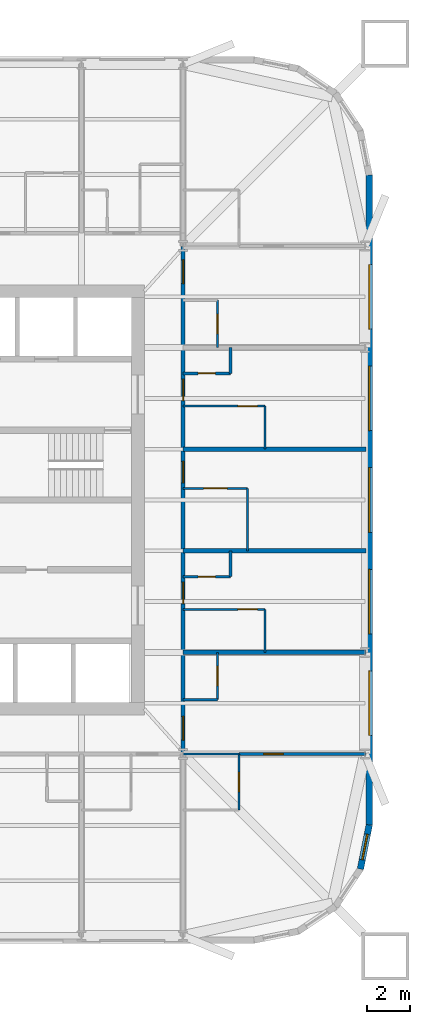
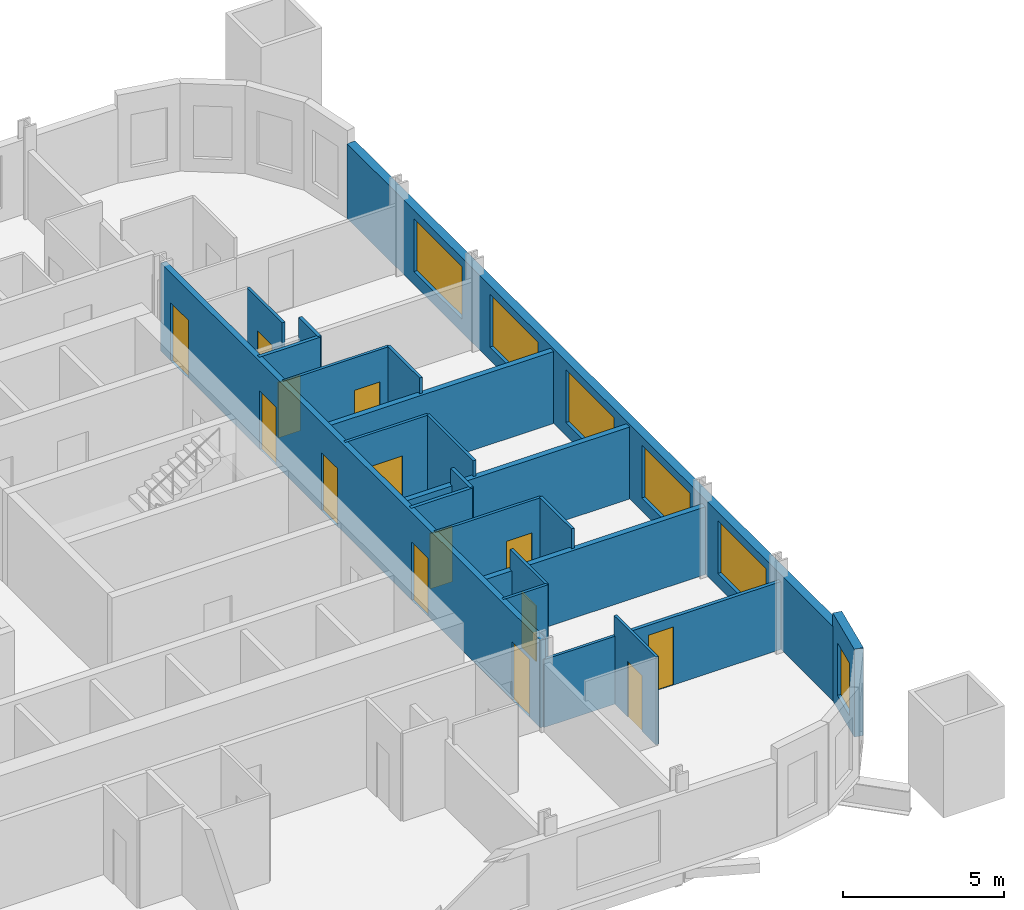
# One storey, part 5 of 8: 22 walls, 14 doors, 6 windows, 20 openings.
"""IFC4 building model written with IfcOpenShell, lengths in metres."""

from ifc_helpers import new_model, si_unit, direction, frame, frame_2d, origin, place, context, subcontext, project, spatial, rectangle, extrude, material, layer, layer_set, type_object, element, fill, save


model = new_model("IFC4")

# Units and contexts
model_context = context("Model", 3, precision=1e-05, world=origin(), true_north=direction((0.0, 1.0)))
body_context = subcontext(model_context, "Body", "Model", "MODEL_VIEW")
ifc_project = project(units=[si_unit("LENGTHUNIT", "METRE"), si_unit("AREAUNIT", "SQUARE_METRE"), si_unit("VOLUMEUNIT", "CUBIC_METRE"), si_unit("PLANEANGLEUNIT", "RADIAN"), si_unit("MASSUNIT", "GRAM", prefix="KILO")], contexts=[model_context])

# Site, building, storey
site_placement = place(None, origin())
site = spatial("IfcSite", under=ifc_project, at=site_placement, CompositionType="ELEMENT")
building_placement = place(site_placement, origin())
building = spatial("IfcBuilding", under=site, at=building_placement, Name="Turquesa Mirador Hotel Tower", CompositionType="ELEMENT")
storey_placement = place(building_placement, frame((0.0, 0.0, 103.89990234375)))
storey = spatial("IfcBuildingStorey", under=building, at=storey_placement, Name="L27", CompositionType="ELEMENT", Elevation=103.89990234375)

# Wall
ifc_material_1 = material(Name="Gypsum board on steel studs", Category="steel")
ifc_layer_1 = layer(ifc_material_1, 0.10009765625)
ifc_layer_set_1 = layer_set([ifc_layer_1], Name="BATHROOM WALL 100")
wall_type_1 = type_object("IfcWallType", Name="BATHROOM WALL 100", PredefinedType="PARTITIONING", material=ifc_layer_set_1)
wall_1_placement = place(storey_placement, frame((66.800048828125, 33.199951171875, 0.0), z_axis=(0.0, 0.0, 1.0), x_axis=(1.0, 0.0, 0.0)))
element("IfcWall", 1, at=wall_1_placement, inside=storey, type_object=wall_type_1, Name="Partition L27 001", PredefinedType="PARTITIONING", context=body_context, shape_type="SweptSolid", body=[
    extrude(rectangle(XDim=2.599853515625, YDim=0.10009765625, at=frame_2d((1.2998046875, 0.0))), origin(), (0.0, 0.0, 1.0), 2.5732421875),
])

# Wall, opening, door
wall_2_placement = place(storey_placement, frame((66.800048828125, 39.919921875, 0.0), z_axis=(0.0, 0.0, 1.0), x_axis=(1.0, 0.0, 0.0)))
wall_2 = element("IfcWall", 2, at=wall_2_placement, inside=storey, type_object=wall_type_1, Name="Partition L27 014", PredefinedType="PARTITIONING", context=body_context, shape_type="SweptSolid", body=[
    extrude(rectangle(XDim=3.800048828125, YDim=0.10009765625, at=frame_2d((1.89990234375, 0.0))), origin(), (0.0, 0.0, 1.0), 3.330078125),
])
opening_1_placement = place(wall_2_placement, frame((2.550048828125, 0.0, 0.0)))
opening_1 = element("IfcOpeningElement", 3, at=opening_1_placement, cuts=wall_2, Name="Opening D02", PredefinedType="OPENING", context=body_context, shape_type="SweptSolid", body=[
    extrude(rectangle(XDim=0.89990234375, YDim=2.10009765625, at=frame_2d((0.449951171875, 1.050048828125))), frame((0.0, 0.06005859375, 0.0), z_axis=(0.0, -1.0, 0.0), x_axis=(1.0, 0.0, 0.0)), (0.0, 0.0, 1.0), 0.1201171875),
])
ifc_material_2 = material(Name="Timber veneered door", Category="wood")
door_type_1 = type_object("IfcDoorType", Name="DOOR 900X2100 EN-SUITE", OperationType="SINGLE_SWING_RIGHT", PredefinedType="DOOR", material=ifc_material_2)
door_1_placement = place(opening_1_placement, origin())
door_1 = element("IfcDoor", 4, at=door_1_placement, inside=storey, type_object=door_type_1, Name="Door 2708B", OperationType="SINGLE_SWING_RIGHT", OverallHeight=2.10009765625, OverallWidth=0.89990234375, PredefinedType="DOOR", context=body_context, shape_type="SweptSolid", body=[
    extrude(rectangle(XDim=0.89990234375, YDim=2.10009765625, at=frame_2d((0.449951171875, 1.050048828125))), frame((0.0, 0.02490234375, 0.0), z_axis=(0.0, -1.0, 0.0), x_axis=(1.0, 0.0, 0.0)), (0.0, 0.0, 1.0), 0.050048828125),
])
fill(opening_1, door_1)

# Wall
wall_3_placement = place(storey_placement, frame((66.800048828125, 35.719970703125, 0.0), z_axis=(0.0, 0.0, 1.0), x_axis=(1.0, 0.0, 0.0)))
element("IfcWall", 5, at=wall_3_placement, inside=storey, type_object=wall_type_1, Name="Partition L27 017", PredefinedType="PARTITIONING", context=body_context, shape_type="SweptSolid", body=[
    extrude(rectangle(XDim=1.599853515625, YDim=0.10009765625, at=frame_2d((0.7998046875, 0.0))), origin(), (0.0, 0.0, 1.0), 3.330078125),
])

# Wall, opening, door
wall_4_placement = place(storey_placement, frame((66.800048828125, 45.5400390625, 0.0), z_axis=(0.0, 0.0, 1.0), x_axis=(1.0, 0.0, 0.0)))
wall_4 = element("IfcWall", 6, at=wall_4_placement, inside=storey, type_object=wall_type_1, Name="Partition L27 019", PredefinedType="PARTITIONING", context=body_context, shape_type="SweptSolid", body=[
    extrude(rectangle(XDim=3.0, YDim=0.10009765625, at=frame_2d((1.5, 0.0))), origin(), (0.0, 0.0, 1.0), 3.330078125),
])
opening_2_placement = place(wall_4_placement, frame((0.949951171875, 0.0, 0.0)))
opening_2 = element("IfcOpeningElement", 7, at=opening_2_placement, cuts=wall_4, Name="Opening D16", PredefinedType="OPENING", context=body_context, shape_type="SweptSolid", body=[
    extrude(rectangle(XDim=1.10009765625, YDim=2.10009765625, at=frame_2d((0.550048828125, 1.050048828125))), frame((0.0, 0.06005859375, 0.0), z_axis=(0.0, -1.0, 0.0), x_axis=(1.0, 0.0, 0.0)), (0.0, 0.0, 1.0), 0.1201171875),
])
ifc_material_3 = material(Name="Timber veneered sliding door", Category="wood")
door_type_2 = type_object("IfcDoorType", Name="DOOR 1100X2100 ACCESSIBLE EN-SUITE", OperationType="SLIDING_TO_LEFT", PredefinedType="DOOR", material=ifc_material_3)
door_2_placement = place(opening_2_placement, origin())
door_2 = element("IfcDoor", 8, at=door_2_placement, inside=storey, type_object=door_type_2, Name="Door 2709B", OperationType="SLIDING_TO_LEFT", OverallHeight=2.10009765625, OverallWidth=1.10009765625, PredefinedType="DOOR", context=body_context, shape_type="SweptSolid", body=[
    extrude(rectangle(XDim=1.10009765625, YDim=2.10009765625, at=frame_2d((0.550048828125, 1.050048828125))), frame((0.0, 0.02490234375, 0.0), z_axis=(0.0, -1.0, 0.0), x_axis=(1.0, 0.0, 0.0)), (0.0, 0.0, 1.0), 0.050048828125),
])
fill(opening_2, door_2)

wall_5_placement = place(storey_placement, frame((66.800048828125, 49.360107421875, 0.0), z_axis=(0.0, 0.0, 1.0), x_axis=(1.0, 0.0, 0.0)))
wall_5 = element("IfcWall", 9, at=wall_5_placement, inside=storey, type_object=wall_type_1, Name="Partition L27 034", PredefinedType="PARTITIONING", context=body_context, shape_type="SweptSolid", body=[
    extrude(rectangle(XDim=3.800048828125, YDim=0.10009765625, at=frame_2d((1.89990234375, 0.0))), origin(), (0.0, 0.0, 1.0), 3.330078125),
])
opening_3_placement = place(wall_5_placement, frame((2.550048828125, 0.0, 0.0)))
opening_3 = element("IfcOpeningElement", 10, at=opening_3_placement, cuts=wall_5, Name="Opening D02", PredefinedType="OPENING", context=body_context, shape_type="SweptSolid", body=[
    extrude(rectangle(XDim=0.89990234375, YDim=2.10009765625, at=frame_2d((0.449951171875, 1.050048828125))), frame((0.0, 0.06005859375, 0.0), z_axis=(0.0, -1.0, 0.0), x_axis=(1.0, 0.0, 0.0)), (0.0, 0.0, 1.0), 0.1201171875),
])
door_3_placement = place(opening_3_placement, origin())
door_3 = element("IfcDoor", 11, at=door_3_placement, inside=storey, type_object=door_type_1, Name="Door 2710B", OperationType="SINGLE_SWING_RIGHT", OverallHeight=2.10009765625, OverallWidth=0.89990234375, PredefinedType="DOOR", context=body_context, shape_type="SweptSolid", body=[
    extrude(rectangle(XDim=0.89990234375, YDim=2.10009765625, at=frame_2d((0.449951171875, 1.050048828125))), frame((0.0, 0.02490234375, 0.0), z_axis=(0.0, -1.0, 0.0), x_axis=(1.0, 0.0, 0.0)), (0.0, 0.0, 1.0), 0.050048828125),
])
fill(opening_3, door_3)

wall_6_placement = place(storey_placement, frame((68.39990234375, 35.719970703125, 0.0), z_axis=(0.0, 0.0, 1.0), x_axis=(0.0, 1.0, 0.0)))
wall_6 = element("IfcWall", 12, at=wall_6_placement, inside=storey, type_object=wall_type_1, Name="Partition L27 063", PredefinedType="PARTITIONING", context=body_context, shape_type="SweptSolid", body=[
    extrude(rectangle(XDim=2.199951171875, YDim=0.10009765625, at=frame_2d((1.10009765625, 0.0))), origin(), (0.0, 0.0, 1.0), 3.330078125),
])
opening_4_placement = place(wall_6_placement, frame((0.64990234375, 0.0, 0.0)))
opening_4 = element("IfcOpeningElement", 13, at=opening_4_placement, cuts=wall_6, Name="Opening D06", PredefinedType="OPENING", context=body_context, shape_type="SweptSolid", body=[
    extrude(rectangle(XDim=0.89990234375, YDim=2.10009765625, at=frame_2d((0.449951171875, 1.050048828125))), frame((0.0, 0.06005859375, 0.0), z_axis=(0.0, -1.0, 0.0), x_axis=(1.0, 0.0, 0.0)), (0.0, 0.0, 1.0), 0.1201171875),
])
ifc_material_4 = material(Name="Laminate door", Category="wood")
door_type_3 = type_object("IfcDoorType", Name="DOOR 900X2100 WC", OperationType="SINGLE_SWING_LEFT", PredefinedType="DOOR", material=ifc_material_4)
door_4_placement = place(opening_4_placement, origin())
door_4 = element("IfcDoor", 14, at=door_4_placement, inside=storey, type_object=door_type_3, Name="Door 2716W", OperationType="SINGLE_SWING_LEFT", OverallHeight=2.10009765625, OverallWidth=0.89990234375, PredefinedType="DOOR", context=body_context, shape_type="SweptSolid", body=[
    extrude(rectangle(XDim=0.89990234375, YDim=2.10009765625, at=frame_2d((0.449951171875, 1.050048828125))), frame((0.0, 0.02490234375, 0.0), z_axis=(0.0, -1.0, 0.0), x_axis=(1.0, 0.0, 0.0)), (0.0, 0.0, 1.0), 0.050048828125),
])
fill(opening_4, door_4)

wall_7_placement = place(storey_placement, frame((68.39990234375, 52.080078125, 0.0), z_axis=(0.0, 0.0, 1.0), x_axis=(0.0, 1.0, 0.0)))
wall_7 = element("IfcWall", 15, at=wall_7_placement, inside=storey, type_object=wall_type_1, Name="Partition L27 064", PredefinedType="PARTITIONING", context=body_context, shape_type="SweptSolid", body=[
    extrude(rectangle(XDim=2.199951171875, YDim=0.10009765625, at=frame_2d((1.10009765625, 0.0))), origin(), (0.0, 0.0, 1.0), 3.330078125),
])
opening_5_placement = place(wall_7_placement, frame((0.64990234375, 0.0, 0.0)))
opening_5 = element("IfcOpeningElement", 16, at=opening_5_placement, cuts=wall_7, Name="Opening D06", PredefinedType="OPENING", context=body_context, shape_type="SweptSolid", body=[
    extrude(rectangle(XDim=0.89990234375, YDim=2.10009765625, at=frame_2d((0.449951171875, 1.050048828125))), frame((0.0, 0.06005859375, 0.0), z_axis=(0.0, -1.0, 0.0), x_axis=(1.0, 0.0, 0.0)), (0.0, 0.0, 1.0), 0.1201171875),
])
door_5_placement = place(opening_5_placement, origin())
door_5 = element("IfcDoor", 17, at=door_5_placement, inside=storey, type_object=door_type_3, Name="Door 2713W", OperationType="SINGLE_SWING_LEFT", OverallHeight=2.10009765625, OverallWidth=0.89990234375, PredefinedType="DOOR", context=body_context, shape_type="SweptSolid", body=[
    extrude(rectangle(XDim=0.89990234375, YDim=2.10009765625, at=frame_2d((0.449951171875, 1.050048828125))), frame((0.0, 0.02490234375, 0.0), z_axis=(0.0, -1.0, 0.0), x_axis=(1.0, 0.0, 0.0)), (0.0, 0.0, 1.0), 0.050048828125),
])
fill(opening_5, door_5)

wall_8_placement = place(storey_placement, frame((69.39990234375, 30.60009765625, 0.0), z_axis=(0.0, 0.0, 1.0), x_axis=(0.0, 1.0, 0.0)))
wall_8 = element("IfcWall", 18, at=wall_8_placement, inside=storey, type_object=wall_type_1, Name="Partition L27 067", PredefinedType="PARTITIONING", context=body_context, shape_type="SweptSolid", body=[
    extrude(rectangle(XDim=2.599853515625, YDim=0.10009765625, at=frame_2d((1.2998046875, 0.0))), origin(), (0.0, 0.0, 1.0), 3.330078125),
])
opening_6_placement = place(wall_8_placement, frame((0.85009765625, 0.0, 0.0)))
opening_6 = element("IfcOpeningElement", 19, at=opening_6_placement, cuts=wall_8, Name="Opening D02", PredefinedType="OPENING", context=body_context, shape_type="SweptSolid", body=[
    extrude(rectangle(XDim=0.89990234375, YDim=2.10009765625, at=frame_2d((0.449951171875, 1.050048828125))), frame((0.0, 0.06005859375, 0.0), z_axis=(0.0, -1.0, 0.0), x_axis=(1.0, 0.0, 0.0)), (0.0, 0.0, 1.0), 0.1201171875),
])
door_6_placement = place(opening_6_placement, origin())
door_6 = element("IfcDoor", 20, at=door_6_placement, inside=storey, type_object=door_type_1, Name="Door 2716B", OperationType="SINGLE_SWING_RIGHT", OverallHeight=2.10009765625, OverallWidth=0.89990234375, PredefinedType="DOOR", context=body_context, shape_type="SweptSolid", body=[
    extrude(rectangle(XDim=0.89990234375, YDim=2.10009765625, at=frame_2d((0.449951171875, 1.050048828125))), frame((0.0, 0.02490234375, 0.0), z_axis=(0.0, -1.0, 0.0), x_axis=(1.0, 0.0, 0.0)), (0.0, 0.0, 1.0), 0.050048828125),
])
fill(opening_6, door_6)

# Walls
wall_9_placement = place(storey_placement, frame((69.800048828125, 42.639892578125, 0.0), z_axis=(0.0, 0.0, 1.0), x_axis=(0.0, 1.0, 0.0)))
element("IfcWall", 21, at=wall_9_placement, inside=storey, type_object=wall_type_1, Name="Partition L27 069", PredefinedType="PARTITIONING", context=body_context, shape_type="SweptSolid", body=[
    extrude(rectangle(XDim=2.900146484375, YDim=0.10009765625, at=frame_2d((1.4501953125, 0.0))), origin(), (0.0, 0.0, 1.0), 3.330078125),
])
for number, where, z_axis, x_axis, name in (
    (22, (70.60009765625, 37.919921875, 0.0), (0.0, 0.0, 1.0), (0.0, 1.0, 0.0), "Partition L27 070"),
    (23, (70.60009765625, 47.360107421875, 0.0), (0.0, 0.0, 1.0), (0.0, 1.0, 0.0), "Partition L27 071"),
):
    element("IfcWall", number, at=place(storey_placement, frame(where, z_axis=z_axis, x_axis=x_axis)), inside=storey, type_object=wall_type_1, Name=name, PredefinedType="PARTITIONING", context=body_context, shape_type="SweptSolid", body=[
        extrude(rectangle(XDim=2.0, YDim=0.10009765625, at=frame_2d((1.0, 0.0))), origin(), (0.0, 0.0, 1.0), 3.330078125),
    ])

# Wall, openings, doors
ifc_material_5 = material(Name="Fire-rated gypsum board on steel studs", Category="steel")
ifc_layer_2 = layer(ifc_material_5, 0.199951171875)
ifc_layer_set_2 = layer_set([ifc_layer_2], Name="CORRIDOR WALL 200")
wall_type_2 = type_object("IfcWallType", Name="CORRIDOR WALL 200", PredefinedType="PARTITIONING", material=ifc_layer_set_2)
wall_10_placement = place(storey_placement, frame((66.800048828125, 33.199951171875, 0.0), z_axis=(0.0, 0.0, 1.0), x_axis=(0.0, 1.0, 0.0)))
wall_10 = element("IfcWall", 24, at=wall_10_placement, inside=storey, type_object=wall_type_2, Name="Partition L27 060", PredefinedType="PARTITIONING", context=body_context, shape_type="SweptSolid", body=[
    extrude(rectangle(XDim=23.580078125, YDim=0.199951171875, at=frame_2d((11.7900390625, 0.0))), origin(), (0.0, 0.0, 1.0), 3.330078125),
])
opening_7_placement = place(wall_10_placement, frame((6.97998046875, 0.0, 0.0)))
opening_7 = element("IfcOpeningElement", 25, at=opening_7_placement, cuts=wall_10, Name="Opening D01", PredefinedType="OPENING", context=body_context, shape_type="SweptSolid", body=[
    extrude(rectangle(XDim=1.0, YDim=2.199951171875, at=frame_2d((0.5, 1.10009765625))), frame((0.0, 0.10986328125, 0.0), z_axis=(0.0, -1.0, 0.0), x_axis=(1.0, 0.0, 0.0)), (0.0, 0.0, 1.0), 0.219970703125),
])
opening_8_placement = place(wall_10_placement, frame((12.590087890625, 0.0, 0.0)))
opening_8 = element("IfcOpeningElement", 26, at=opening_8_placement, cuts=wall_10, Name="Opening D01", PredefinedType="OPENING", context=body_context, shape_type="SweptSolid", body=[
    extrude(rectangle(XDim=1.0, YDim=2.199951171875, at=frame_2d((0.5, 1.10009765625))), frame((0.0, 0.10986328125, 0.0), z_axis=(0.0, -1.0, 0.0), x_axis=(1.0, 0.0, 0.0)), (0.0, 0.0, 1.0), 0.219970703125),
])
opening_9_placement = place(wall_10_placement, frame((16.419921875, 0.0, 0.0)))
opening_9 = element("IfcOpeningElement", 27, at=opening_9_placement, cuts=wall_10, Name="Opening D01", PredefinedType="OPENING", context=body_context, shape_type="SweptSolid", body=[
    extrude(rectangle(XDim=1.0, YDim=2.199951171875, at=frame_2d((0.5, 1.10009765625))), frame((0.0, 0.10986328125, 0.0), z_axis=(0.0, -1.0, 0.0), x_axis=(1.0, 0.0, 0.0)), (0.0, 0.0, 1.0), 0.219970703125),
])
opening_10_placement = place(wall_10_placement, frame((21.85009765625, 0.0, 0.0)))
opening_10 = element("IfcOpeningElement", 28, at=opening_10_placement, cuts=wall_10, Name="Opening D15", PredefinedType="OPENING", context=body_context, shape_type="SweptSolid", body=[
    extrude(rectangle(XDim=1.10009765625, YDim=2.199951171875, at=frame_2d((0.550048828125, 1.10009765625))), frame((0.0, 0.10986328125, 0.0), z_axis=(0.0, -1.0, 0.0), x_axis=(1.0, 0.0, 0.0)), (0.0, 0.0, 1.0), 0.219970703125),
])
opening_11_placement = place(wall_10_placement, frame((0.64990234375, 0.0, 0.0)))
opening_11 = element("IfcOpeningElement", 29, at=opening_11_placement, cuts=wall_10, Name="Opening D15", PredefinedType="OPENING", context=body_context, shape_type="SweptSolid", body=[
    extrude(rectangle(XDim=1.10009765625, YDim=2.199951171875, at=frame_2d((0.550048828125, 1.10009765625))), frame((0.0, 0.10986328125, 0.0), z_axis=(0.0, -1.0, 0.0), x_axis=(1.0, 0.0, 0.0)), (0.0, 0.0, 1.0), 0.219970703125),
])
ifc_material_6 = material(Name="Timber veneered fire door", Category="wood")
door_type_4 = type_object("IfcDoorType", Name="DOOR 1000X2200 GUEST ENTRY", OperationType="SINGLE_SWING_LEFT", PredefinedType="DOOR", material=ifc_material_6)
door_7_placement = place(opening_7_placement, origin())
door_7 = element("IfcDoor", 30, at=door_7_placement, inside=storey, type_object=door_type_4, Name="Door 2708", OperationType="SINGLE_SWING_LEFT", OverallHeight=2.199951171875, OverallWidth=1.0, PredefinedType="DOOR", context=body_context, shape_type="SweptSolid", body=[
    extrude(rectangle(XDim=1.0, YDim=2.199951171875, at=frame_2d((0.5, 1.10009765625))), frame((0.0, 0.02490234375, 0.0), z_axis=(0.0, -1.0, 0.0), x_axis=(1.0, 0.0, 0.0)), (0.0, 0.0, 1.0), 0.050048828125),
])
fill(opening_7, door_7)
door_8_placement = place(opening_8_placement, origin())
door_8 = element("IfcDoor", 31, at=door_8_placement, inside=storey, type_object=door_type_4, Name="Door 2709", OperationType="SINGLE_SWING_LEFT", OverallHeight=2.199951171875, OverallWidth=1.0, PredefinedType="DOOR", context=body_context, shape_type="SweptSolid", body=[
    extrude(rectangle(XDim=1.0, YDim=2.199951171875, at=frame_2d((0.5, 1.10009765625))), frame((0.0, 0.02490234375, 0.0), z_axis=(0.0, -1.0, 0.0), x_axis=(1.0, 0.0, 0.0)), (0.0, 0.0, 1.0), 0.050048828125),
])
fill(opening_8, door_8)
door_9_placement = place(opening_9_placement, origin())
door_9 = element("IfcDoor", 32, at=door_9_placement, inside=storey, type_object=door_type_4, Name="Door 2710", OperationType="SINGLE_SWING_LEFT", OverallHeight=2.199951171875, OverallWidth=1.0, PredefinedType="DOOR", context=body_context, shape_type="SweptSolid", body=[
    extrude(rectangle(XDim=1.0, YDim=2.199951171875, at=frame_2d((0.5, 1.10009765625))), frame((0.0, 0.02490234375, 0.0), z_axis=(0.0, -1.0, 0.0), x_axis=(1.0, 0.0, 0.0)), (0.0, 0.0, 1.0), 0.050048828125),
])
fill(opening_9, door_9)
ifc_material_7 = material(Name="Timber veneered fire door", Category="wood")
door_type_5 = type_object("IfcDoorType", Name="DOOR 1100X2200 SUITE ENTRY", OperationType="SINGLE_SWING_LEFT", PredefinedType="DOOR", material=ifc_material_7)
door_10_placement = place(opening_10_placement, origin())
door_10 = element("IfcDoor", 33, at=door_10_placement, inside=storey, type_object=door_type_5, Name="Door 2713", OperationType="SINGLE_SWING_LEFT", OverallHeight=2.199951171875, OverallWidth=1.10009765625, PredefinedType="DOOR", context=body_context, shape_type="SweptSolid", body=[
    extrude(rectangle(XDim=1.10009765625, YDim=2.199951171875, at=frame_2d((0.550048828125, 1.10009765625))), frame((0.0, 0.02490234375, 0.0), z_axis=(0.0, -1.0, 0.0), x_axis=(1.0, 0.0, 0.0)), (0.0, 0.0, 1.0), 0.050048828125),
])
fill(opening_10, door_10)
door_11_placement = place(opening_11_placement, origin())
door_11 = element("IfcDoor", 34, at=door_11_placement, inside=storey, type_object=door_type_5, Name="Door 2716", OperationType="SINGLE_SWING_LEFT", OverallHeight=2.199951171875, OverallWidth=1.10009765625, PredefinedType="DOOR", context=body_context, shape_type="SweptSolid", body=[
    extrude(rectangle(XDim=1.10009765625, YDim=2.199951171875, at=frame_2d((0.550048828125, 1.10009765625))), frame((0.0, 0.02490234375, 0.0), z_axis=(0.0, -1.0, 0.0), x_axis=(1.0, 0.0, 0.0)), (0.0, 0.0, 1.0), 0.050048828125),
])
fill(opening_11, door_11)

# Wall, opening, window
ifc_material_8 = material(Name="Limestone cladding on concrete block", Category="masonry")
ifc_layer_3 = layer(ifc_material_8, 0.300048828125)
ifc_layer_set_3 = layer_set([ifc_layer_3], Name="FACADE WALL 300 STONE SCREEN")
wall_type_3 = type_object("IfcWallType", Name="FACADE WALL 300 STONE SCREEN", PredefinedType="SOLIDWALL", material=ifc_layer_set_3)
wall_11_placement = place(storey_placement, frame((75.042724609375, 27.8525390625, 0.0), z_axis=(0.0, 0.0, 1.0), x_axis=(0.195081421501, 0.980787050784, 0.0)))
wall_11 = element("IfcWall", 35, at=wall_11_placement, inside=storey, type_object=wall_type_3, Name="Facade wall L27 03", PredefinedType="SOLIDWALL", context=body_context, shape_type="SweptSolid", body=[
    extrude(rectangle(XDim=2.08740234375, YDim=0.300048828125, at=frame_2d((1.043701171875, 0.0))), origin(), (0.0, 0.0, 1.0), 3.330078125),
])
opening_12_placement = place(wall_11_placement, frame((0.443603515625, 0.0, 0.5)))
opening_12 = element("IfcOpeningElement", 36, at=opening_12_placement, cuts=wall_11, Name="Opening WN4", PredefinedType="OPENING", context=body_context, shape_type="SweptSolid", body=[
    extrude(rectangle(XDim=1.199951171875, YDim=2.0, at=frame_2d((0.60009765625, 1.0))), frame((0.0, 0.159912109375, 0.0), z_axis=(0.0, -1.0, 0.0), x_axis=(1.0, 0.0, 0.0)), (0.0, 0.0, 1.0), 0.320068359375),
])
ifc_material_9 = material(Name="Ceramic-fritted laminated glass", Category="glass")
window_type_1 = type_object("IfcWindowType", Name="FRITTED CORNER WINDOW 1200X2000", PartitioningType="DOUBLE_PANEL_HORIZONTAL", PredefinedType="WINDOW", material=ifc_material_9)
window_1_placement = place(opening_12_placement, origin())
window_1 = element("IfcWindow", 37, at=window_1_placement, inside=storey, type_object=window_type_1, Name="Window L27", OverallHeight=2.0, OverallWidth=1.199951171875, PartitioningType="SINGLE_PANEL", PredefinedType="WINDOW", context=body_context, shape_type="SweptSolid", body=[
    extrude(rectangle(XDim=1.199951171875, YDim=2.0, at=frame_2d((0.60009765625, 1.0))), frame((0.0, 0.030029296875, 0.0), z_axis=(0.0, -1.0, 0.0), x_axis=(1.0, 0.0, 0.0)), (0.0, 0.0, 1.0), 0.06005859375),
])
fill(opening_12, window_1)

# Wall, openings, windows
wall_12_placement = place(storey_placement, frame((75.449951171875, 29.89990234375, 0.0), z_axis=(0.0, 0.0, 1.0), x_axis=(0.0, 1.0, 0.0)))
wall_12 = element("IfcWall", 38, at=wall_12_placement, inside=storey, type_object=wall_type_3, Name="Facade wall L27 04", PredefinedType="SOLIDWALL", context=body_context, shape_type="SweptSolid", body=[
    extrude(rectangle(XDim=30.2001953125, YDim=0.300048828125, at=frame_2d((15.10009765625, 0.0))), origin(), (0.0, 0.0, 1.0), 2.830078125),
])
opening_13_placement = place(wall_12_placement, frame((4.159912109375, 0.0, 0.5)))
opening_13 = element("IfcOpeningElement", 39, at=opening_13_placement, cuts=wall_12, Name="Opening WN1", PredefinedType="OPENING", context=body_context, shape_type="SweptSolid", body=[
    extrude(rectangle(XDim=3.0, YDim=2.0, at=frame_2d((1.5, 1.0))), frame((0.0, 0.159912109375, 0.0), z_axis=(0.0, -1.0, 0.0), x_axis=(1.0, 0.0, 0.0)), (0.0, 0.0, 1.0), 0.320068359375),
])
opening_14_placement = place(wall_12_placement, frame((8.8798828125, 0.0, 0.5)))
opening_14 = element("IfcOpeningElement", 40, at=opening_14_placement, cuts=wall_12, Name="Opening WN1", PredefinedType="OPENING", context=body_context, shape_type="SweptSolid", body=[
    extrude(rectangle(XDim=3.0, YDim=2.0, at=frame_2d((1.5, 1.0))), frame((0.0, 0.159912109375, 0.0), z_axis=(0.0, -1.0, 0.0), x_axis=(1.0, 0.0, 0.0)), (0.0, 0.0, 1.0), 0.320068359375),
])
opening_15_placement = place(wall_12_placement, frame((13.60009765625, 0.0, 0.5)))
opening_15 = element("IfcOpeningElement", 41, at=opening_15_placement, cuts=wall_12, Name="Opening WN1", PredefinedType="OPENING", context=body_context, shape_type="SweptSolid", body=[
    extrude(rectangle(XDim=3.0, YDim=2.0, at=frame_2d((1.5, 1.0))), frame((0.0, 0.159912109375, 0.0), z_axis=(0.0, -1.0, 0.0), x_axis=(1.0, 0.0, 0.0)), (0.0, 0.0, 1.0), 0.320068359375),
])
opening_16_placement = place(wall_12_placement, frame((18.320068359375, 0.0, 0.5)))
opening_16 = element("IfcOpeningElement", 42, at=opening_16_placement, cuts=wall_12, Name="Opening WN1", PredefinedType="OPENING", context=body_context, shape_type="SweptSolid", body=[
    extrude(rectangle(XDim=3.0, YDim=2.0, at=frame_2d((1.5, 1.0))), frame((0.0, 0.159912109375, 0.0), z_axis=(0.0, -1.0, 0.0), x_axis=(1.0, 0.0, 0.0)), (0.0, 0.0, 1.0), 0.320068359375),
])
opening_17_placement = place(wall_12_placement, frame((23.0400390625, 0.0, 0.5)))
opening_17 = element("IfcOpeningElement", 43, at=opening_17_placement, cuts=wall_12, Name="Opening WN1", PredefinedType="OPENING", context=body_context, shape_type="SweptSolid", body=[
    extrude(rectangle(XDim=3.0, YDim=2.0, at=frame_2d((1.5, 1.0))), frame((0.0, 0.159912109375, 0.0), z_axis=(0.0, -1.0, 0.0), x_axis=(1.0, 0.0, 0.0)), (0.0, 0.0, 1.0), 0.320068359375),
])
ifc_material_10 = material(Name="Ceramic-fritted laminated glass", Category="glass")
window_type_2 = type_object("IfcWindowType", Name="FRITTED WINDOW 3000X2000", PartitioningType="DOUBLE_PANEL_HORIZONTAL", PredefinedType="WINDOW", material=ifc_material_10)
window_2_placement = place(opening_13_placement, origin())
window_2 = element("IfcWindow", 44, at=window_2_placement, inside=storey, type_object=window_type_2, Name="Window L27", OverallHeight=2.0, OverallWidth=3.0, PartitioningType="SINGLE_PANEL", PredefinedType="WINDOW", context=body_context, shape_type="SweptSolid", body=[
    extrude(rectangle(XDim=3.0, YDim=2.0, at=frame_2d((1.5, 1.0))), frame((0.0, 0.030029296875, 0.0), z_axis=(0.0, -1.0, 0.0), x_axis=(1.0, 0.0, 0.0)), (0.0, 0.0, 1.0), 0.06005859375),
])
fill(opening_13, window_2)
window_3_placement = place(opening_14_placement, origin())
window_3 = element("IfcWindow", 45, at=window_3_placement, inside=storey, type_object=window_type_2, Name="Window L27", OverallHeight=2.0, OverallWidth=3.0, PartitioningType="SINGLE_PANEL", PredefinedType="WINDOW", context=body_context, shape_type="SweptSolid", body=[
    extrude(rectangle(XDim=3.0, YDim=2.0, at=frame_2d((1.5, 1.0))), frame((0.0, 0.030029296875, 0.0), z_axis=(0.0, -1.0, 0.0), x_axis=(1.0, 0.0, 0.0)), (0.0, 0.0, 1.0), 0.06005859375),
])
fill(opening_14, window_3)
window_4_placement = place(opening_15_placement, origin())
window_4 = element("IfcWindow", 46, at=window_4_placement, inside=storey, type_object=window_type_2, Name="Window L27", OverallHeight=2.0, OverallWidth=3.0, PartitioningType="SINGLE_PANEL", PredefinedType="WINDOW", context=body_context, shape_type="SweptSolid", body=[
    extrude(rectangle(XDim=3.0, YDim=2.0, at=frame_2d((1.5, 1.0))), frame((0.0, 0.030029296875, 0.0), z_axis=(0.0, -1.0, 0.0), x_axis=(1.0, 0.0, 0.0)), (0.0, 0.0, 1.0), 0.06005859375),
])
fill(opening_15, window_4)
window_5_placement = place(opening_16_placement, origin())
window_5 = element("IfcWindow", 47, at=window_5_placement, inside=storey, type_object=window_type_2, Name="Window L27", OverallHeight=2.0, OverallWidth=3.0, PartitioningType="SINGLE_PANEL", PredefinedType="WINDOW", context=body_context, shape_type="SweptSolid", body=[
    extrude(rectangle(XDim=3.0, YDim=2.0, at=frame_2d((1.5, 1.0))), frame((0.0, 0.030029296875, 0.0), z_axis=(0.0, -1.0, 0.0), x_axis=(1.0, 0.0, 0.0)), (0.0, 0.0, 1.0), 0.06005859375),
])
fill(opening_16, window_5)
window_6_placement = place(opening_17_placement, origin())
window_6 = element("IfcWindow", 48, at=window_6_placement, inside=storey, type_object=window_type_2, Name="Window L27", OverallHeight=2.0, OverallWidth=3.0, PartitioningType="SINGLE_PANEL", PredefinedType="WINDOW", context=body_context, shape_type="SweptSolid", body=[
    extrude(rectangle(XDim=3.0, YDim=2.0, at=frame_2d((1.5, 1.0))), frame((0.0, 0.030029296875, 0.0), z_axis=(0.0, -1.0, 0.0), x_axis=(1.0, 0.0, 0.0)), (0.0, 0.0, 1.0), 0.06005859375),
])
fill(opening_17, window_6)

# Walls
ifc_material_11 = material(Name="Fire-rated gypsum board on steel studs", Category="steel")
ifc_layer_4 = layer(ifc_material_11, 0.199951171875)
ifc_layer_set_4 = layer_set([ifc_layer_4], Name="PARTY WALL 200")
wall_type_4 = type_object("IfcWallType", Name="PARTY WALL 200", PredefinedType="PARTITIONING", material=ifc_layer_set_4)
wall_13_placement = place(storey_placement, frame((66.800048828125, 42.639892578125, 0.0), z_axis=(0.0, 0.0, 1.0), x_axis=(1.0, 0.0, 0.0)))
element("IfcWall", 49, at=wall_13_placement, inside=storey, type_object=wall_type_4, Name="Partition L27 011", PredefinedType="PARTITIONING", context=body_context, shape_type="SweptSolid", body=[
    extrude(rectangle(XDim=8.5, YDim=0.199951171875, at=frame_2d((4.25, 0.0))), origin(), (0.0, 0.0, 1.0), 2.730712890625),
])
wall_14_placement = place(storey_placement, frame((66.800048828125, 37.919921875, 0.0), z_axis=(0.0, 0.0, 1.0), x_axis=(1.0, 0.0, 0.0)))
element("IfcWall", 50, at=wall_14_placement, inside=storey, type_object=wall_type_4, Name="Partition L27 016", PredefinedType="PARTITIONING", context=body_context, shape_type="SweptSolid", body=[
    extrude(rectangle(XDim=8.5, YDim=0.199951171875, at=frame_2d((4.25, 0.0))), origin(), (0.0, 0.0, 1.0), 2.5732421875),
])
wall_15_placement = place(storey_placement, frame((66.800048828125, 47.360107421875, 0.0), z_axis=(0.0, 0.0, 1.0), x_axis=(1.0, 0.0, 0.0)))
element("IfcWall", 51, at=wall_15_placement, inside=storey, type_object=wall_type_4, Name="Partition L27 033", PredefinedType="PARTITIONING", context=body_context, shape_type="SweptSolid", body=[
    extrude(rectangle(XDim=8.5, YDim=0.199951171875, at=frame_2d((4.25, 0.0))), origin(), (0.0, 0.0, 1.0), 2.730712890625),
])

# Wall, opening, door
ifc_material_12 = material(Name="Acoustic gypsum board on steel studs", Category="steel")
ifc_layer_5 = layer(ifc_material_12, 0.125)
ifc_layer_set_5 = layer_set([ifc_layer_5], Name="SUITE PARTITION 125")
wall_type_5 = type_object("IfcWallType", Name="SUITE PARTITION 125", PredefinedType="PARTITIONING", material=ifc_layer_set_5)
wall_16_placement = place(storey_placement, frame((69.39990234375, 33.199951171875, 0.0), z_axis=(0.0, 0.0, 1.0), x_axis=(1.0, 0.0, 0.0)))
wall_16 = element("IfcWall", 52, at=wall_16_placement, inside=storey, type_object=wall_type_5, Name="Partition L27 004", PredefinedType="PARTITIONING", context=body_context, shape_type="SweptSolid", body=[
    extrude(rectangle(XDim=5.900146484375, YDim=0.125, at=frame_2d((2.9501953125, 0.0))), origin(), (0.0, 0.0, 1.0), 2.5732421875),
])
opening_18_placement = place(wall_16_placement, frame((1.14990234375, 0.0, 0.0)))
opening_18 = element("IfcOpeningElement", 53, at=opening_18_placement, cuts=wall_16, Name="Opening D17", PredefinedType="OPENING", context=body_context, shape_type="SweptSolid", body=[
    extrude(rectangle(XDim=0.89990234375, YDim=2.199951171875, at=frame_2d((0.449951171875, 1.10009765625))), frame((0.0, 0.072509765625, 0.0), z_axis=(0.0, -1.0, 0.0), x_axis=(1.0, 0.0, 0.0)), (0.0, 0.0, 1.0), 0.14501953125),
])
ifc_material_13 = material(Name="Timber veneered door", Category="wood")
door_type_6 = type_object("IfcDoorType", Name="DOOR 900X2200 SUITE INTERNAL", OperationType="SINGLE_SWING_LEFT", PredefinedType="DOOR", material=ifc_material_13)
door_12_placement = place(opening_18_placement, origin())
door_12 = element("IfcDoor", 54, at=door_12_placement, inside=storey, type_object=door_type_6, Name="Door 2716R", OperationType="SINGLE_SWING_LEFT", OverallHeight=2.199951171875, OverallWidth=0.89990234375, PredefinedType="DOOR", context=body_context, shape_type="SweptSolid", body=[
    extrude(rectangle(XDim=0.89990234375, YDim=2.199951171875, at=frame_2d((0.449951171875, 1.10009765625))), frame((0.0, 0.02490234375, 0.0), z_axis=(0.0, -1.0, 0.0), x_axis=(1.0, 0.0, 0.0)), (0.0, 0.0, 1.0), 0.050048828125),
])
fill(opening_18, door_12)

wall_17_placement = place(storey_placement, frame((66.800048828125, 41.43994140625, 0.0), z_axis=(0.0, 0.0, 1.0), x_axis=(1.0, 0.0, 0.0)))
wall_17 = element("IfcWall", 55, at=wall_17_placement, inside=storey, type_object=wall_type_5, Name="Partition L27 012", PredefinedType="PARTITIONING", context=body_context, shape_type="SweptSolid", body=[
    extrude(rectangle(XDim=2.199951171875, YDim=0.125, at=frame_2d((1.10009765625, 0.0))), origin(), (0.0, 0.0, 1.0), 3.330078125),
])
opening_19_placement = place(wall_17_placement, frame((0.699951171875, 0.0, 0.0)))
opening_19 = element("IfcOpeningElement", 56, at=opening_19_placement, cuts=wall_17, Name="Opening D20", PredefinedType="OPENING", context=body_context, shape_type="SweptSolid", body=[
    extrude(rectangle(XDim=0.800048828125, YDim=2.10009765625, at=frame_2d((0.39990234375, 1.050048828125))), frame((0.0, 0.072509765625, 0.0), z_axis=(0.0, -1.0, 0.0), x_axis=(1.0, 0.0, 0.0)), (0.0, 0.0, 1.0), 0.14501953125),
])
ifc_material_14 = material(Name="Timber veneered sliding door", Category="wood")
door_type_7 = type_object("IfcDoorType", Name="DOOR 800X2100 WARDROBE", OperationType="SLIDING_TO_LEFT", PredefinedType="DOOR", material=ifc_material_14)
door_13_placement = place(opening_19_placement, origin())
door_13 = element("IfcDoor", 57, at=door_13_placement, inside=storey, type_object=door_type_7, Name="Door 2708W", OperationType="SLIDING_TO_LEFT", OverallHeight=2.10009765625, OverallWidth=0.800048828125, PredefinedType="DOOR", context=body_context, shape_type="SweptSolid", body=[
    extrude(rectangle(XDim=0.800048828125, YDim=2.10009765625, at=frame_2d((0.39990234375, 1.050048828125))), frame((0.0, 0.02490234375, 0.0), z_axis=(0.0, -1.0, 0.0), x_axis=(1.0, 0.0, 0.0)), (0.0, 0.0, 1.0), 0.050048828125),
])
fill(opening_19, door_13)

wall_18_placement = place(storey_placement, frame((66.800048828125, 50.8798828125, 0.0), z_axis=(0.0, 0.0, 1.0), x_axis=(1.0, 0.0, 0.0)))
wall_18 = element("IfcWall", 58, at=wall_18_placement, inside=storey, type_object=wall_type_5, Name="Partition L27 036", PredefinedType="PARTITIONING", context=body_context, shape_type="SweptSolid", body=[
    extrude(rectangle(XDim=2.199951171875, YDim=0.125, at=frame_2d((1.10009765625, 0.0))), origin(), (0.0, 0.0, 1.0), 3.330078125),
])
opening_20_placement = place(wall_18_placement, frame((0.699951171875, 0.0, 0.0)))
opening_20 = element("IfcOpeningElement", 59, at=opening_20_placement, cuts=wall_18, Name="Opening D20", PredefinedType="OPENING", context=body_context, shape_type="SweptSolid", body=[
    extrude(rectangle(XDim=0.800048828125, YDim=2.10009765625, at=frame_2d((0.39990234375, 1.050048828125))), frame((0.0, 0.072509765625, 0.0), z_axis=(0.0, -1.0, 0.0), x_axis=(1.0, 0.0, 0.0)), (0.0, 0.0, 1.0), 0.14501953125),
])
door_14_placement = place(opening_20_placement, origin())
door_14 = element("IfcDoor", 60, at=door_14_placement, inside=storey, type_object=door_type_7, Name="Door 2710W", OperationType="SLIDING_TO_LEFT", OverallHeight=2.10009765625, OverallWidth=0.800048828125, PredefinedType="DOOR", context=body_context, shape_type="SweptSolid", body=[
    extrude(rectangle(XDim=0.800048828125, YDim=2.10009765625, at=frame_2d((0.39990234375, 1.050048828125))), frame((0.0, 0.02490234375, 0.0), z_axis=(0.0, -1.0, 0.0), x_axis=(1.0, 0.0, 0.0)), (0.0, 0.0, 1.0), 0.050048828125),
])
fill(opening_20, door_14)

# Walls
wall_19_placement = place(storey_placement, frame((69.0, 41.43994140625, 0.0), z_axis=(0.0, 0.0, 1.0), x_axis=(0.0, 1.0, 0.0)))
element("IfcWall", 61, at=wall_19_placement, inside=storey, type_object=wall_type_5, Name="Partition L27 065", PredefinedType="PARTITIONING", context=body_context, shape_type="SweptSolid", body=[
    extrude(rectangle(XDim=1.199951171875, YDim=0.125, at=frame_2d((0.60009765625, 0.0))), origin(), (0.0, 0.0, 1.0), 3.330078125),
])
wall_20_placement = place(storey_placement, frame((69.0, 50.8798828125, 0.0), z_axis=(0.0, 0.0, 1.0), x_axis=(0.0, 1.0, 0.0)))
element("IfcWall", 62, at=wall_20_placement, inside=storey, type_object=wall_type_5, Name="Partition L27 066", PredefinedType="PARTITIONING", context=body_context, shape_type="SweptSolid", body=[
    extrude(rectangle(XDim=1.2001953125, YDim=0.125, at=frame_2d((0.60009765625, 0.0))), origin(), (0.0, 0.0, 1.0), 3.330078125),
])

save(model, "model.ifc")
